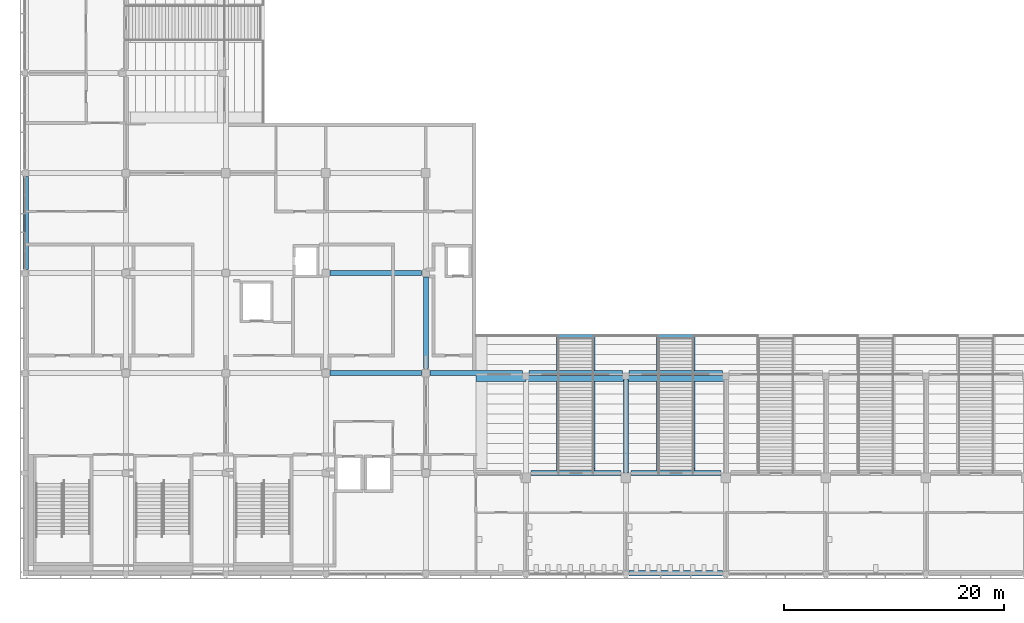
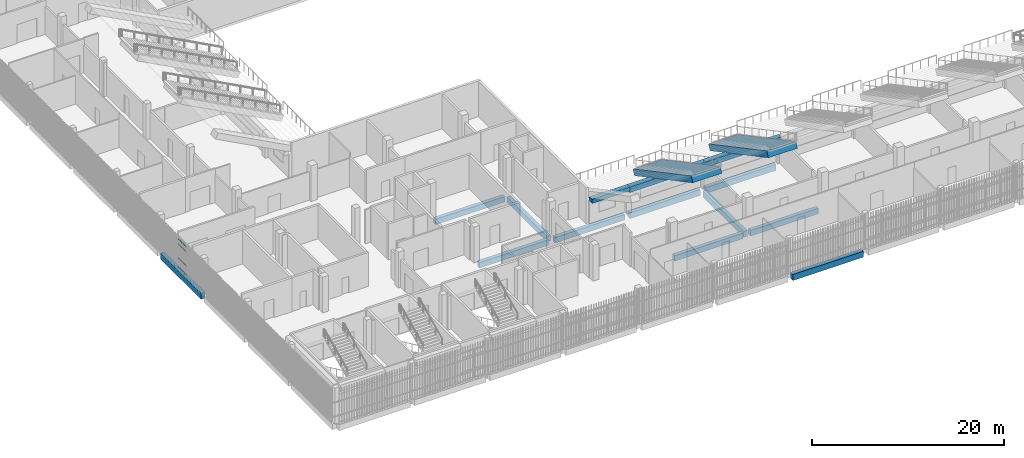
# One storey, part 13 of 139: 16 beams, 4 members, 1 element without a shape of its own.
"""IFC4 building model written with IfcOpenShell, lengths in metres."""

from ifc_helpers import new_model, si_unit, direction, frame, origin, origin_2d, place, context, subcontext, project, spatial, rectangle, hollow_rectangle, extrude, material, layer, layer_set, material_profile, profile_set, type_object, element, aggregate, save


model = new_model("IFC4")

# Units and contexts
model_context = context("Model", 3, precision=1e-05, world=origin(), true_north=direction((0.0, 1.0)))
body_context = subcontext(model_context, "Body", "Model", "MODEL_VIEW")
ifc_project = project(units=[si_unit("LENGTHUNIT", "METRE"), si_unit("AREAUNIT", "SQUARE_METRE"), si_unit("VOLUMEUNIT", "CUBIC_METRE"), si_unit("PLANEANGLEUNIT", "RADIAN"), si_unit("MASSUNIT", "GRAM", prefix="KILO")], contexts=[model_context])

# Site, building, storey
site_placement = place(None, origin())
site = spatial("IfcSite", under=ifc_project, at=site_placement, CompositionType="ELEMENT")
building_placement = place(site_placement, origin())
building = spatial("IfcBuilding", under=site, at=building_placement, Name="Shirokan Park Arena", CompositionType="ELEMENT")
storey_placement = place(building_placement, frame((0.0, 0.0, 15.469970703125)))
storey = spatial("IfcBuildingStorey", under=building, at=storey_placement, Name="L03", CompositionType="ELEMENT", Elevation=15.469970703125)

# Beams
ifc_material_1 = material(Name="Concrete C35", Category="concrete")
ifc_material_profile_1 = material_profile(ifc_material_1, rectangle(XDim=0.449951171875, YDim=0.699951171875, at=origin_2d()), Name="450x700")
ifc_profile_set_1 = profile_set([ifc_material_profile_1], Name="Concrete C35")
beam_type_1 = type_object("IfcBeamType", Name="RC girder 450x700", PredefinedType="BEAM", material=ifc_profile_set_1)
beam_1_placement = place(storey_placement, frame((27.7001953125, 18.199951171875, -0.64990234375), z_axis=(1.0, 0.0, 0.0), x_axis=(0.0, 1.0, 0.0)))
element("IfcBeam", 1, at=beam_1_placement, inside=storey, type_object=beam_type_1, Name="Girder 4C-5C L03", PredefinedType="BEAM", context=body_context, shape_type="SweptSolid", body=[
    extrude(rectangle(XDim=0.449951171875, YDim=0.699951171875, at=origin_2d()), origin(), (0.0, 0.0, 1.0), 8.2998046875),
])
beam_2_placement = place(storey_placement, frame((27.675048828125, 27.300048828125, -0.64990234375), z_axis=(1.0, 0.0, 0.0), x_axis=(0.0, 1.0, 0.0)))
element("IfcBeam", 2, at=beam_2_placement, inside=storey, type_object=beam_type_1, Name="Girder 4D-5D L03", PredefinedType="BEAM", context=body_context, shape_type="SweptSolid", body=[
    extrude(rectangle(XDim=0.449951171875, YDim=0.699951171875, at=origin_2d()), origin(), (0.0, 0.0, 1.0), 8.349853515625),
])
beam_3_placement = place(storey_placement, frame((36.800048828125, 18.199951171875, -0.64990234375), z_axis=(1.0, 0.0, 0.0), x_axis=(0.0, 1.0, 0.0)))
element("IfcBeam", 3, at=beam_3_placement, inside=storey, type_object=beam_type_1, Name="Girder 5C-6C L03", PredefinedType="BEAM", context=body_context, shape_type="SweptSolid", body=[
    extrude(rectangle(XDim=0.449951171875, YDim=0.699951171875, at=origin_2d()), origin(), (0.0, 0.0, 1.0), 8.39990234375),
])
beam_4_placement = place(storey_placement, frame((45.9501953125, 9.10009765625, -0.64990234375), z_axis=(1.0, 0.0, 0.0), x_axis=(0.0, 1.0, 0.0)))
element("IfcBeam", 4, at=beam_4_placement, inside=storey, type_object=beam_type_1, Name="Girder 6B-7B L03", PredefinedType="BEAM", context=body_context, shape_type="SweptSolid", body=[
    extrude(rectangle(XDim=0.449951171875, YDim=0.699951171875, at=origin_2d()), origin(), (0.0, 0.0, 1.0), 8.19970703125),
])
beam_5_placement = place(storey_placement, frame((55.050048828125, 9.10009765625, -0.64990234375), z_axis=(1.0, 0.0, 0.0), x_axis=(0.0, 1.0, 0.0)))
element("IfcBeam", 5, at=beam_5_placement, inside=storey, type_object=beam_type_1, Name="Girder 7B-8B L03", PredefinedType="BEAM", context=body_context, shape_type="SweptSolid", body=[
    extrude(rectangle(XDim=0.449951171875, YDim=0.699951171875, at=origin_2d()), origin(), (0.0, 0.0, 1.0), 8.199951171875),
])
beam_6_placement = place(storey_placement, frame((36.39990234375, 18.60009765625, -0.64990234375), z_axis=(0.0, 1.0, 0.0), x_axis=(-1.0, 0.0, 0.0)))
element("IfcBeam", 6, at=beam_6_placement, inside=storey, type_object=beam_type_1, Name="Girder 5C-5D L03", PredefinedType="BEAM", context=body_context, shape_type="SweptSolid", body=[
    extrude(rectangle(XDim=0.449951171875, YDim=0.699951171875, at=origin_2d()), origin(), (0.0, 0.0, 1.0), 8.32470703125),
])
ifc_material_profile_2 = material_profile(ifc_material_1, rectangle(XDim=0.449951171875, YDim=0.75, at=origin_2d()), Name="450x750")
ifc_profile_set_2 = profile_set([ifc_material_profile_2], Name="Concrete C35")
beam_type_2 = type_object("IfcBeamType", Name="RC girder 450x750", PredefinedType="BEAM", material=ifc_profile_set_2)
for number, where, z_axis, x_axis, name in (
    (7, (45.800048828125, 18.199951171875, -0.675048828125), (1.0, 0.0, 0.0), (0.0, 1.0, 0.0), "Girder 6C-7C L03"),
    (8, (54.900146484375, 18.199951171875, -0.675048828125), (1.0, 0.0, 0.0), (0.0, 1.0, 0.0), "Girder 7C-8C L03"),
    (9, (54.60009765625, 9.10009765625, -0.675048828125), (0.0, 1.0, 0.0), (-1.0, 0.0, 0.0), "Girder 7B-7C L03"),
):
    element("IfcBeam", number, at=place(storey_placement, frame(where, z_axis=z_axis, x_axis=x_axis)), inside=storey, type_object=beam_type_2, Name=name, PredefinedType="BEAM", context=body_context, shape_type="SweptSolid", body=[
        extrude(rectangle(XDim=0.449951171875, YDim=0.75, at=origin_2d()), origin(), (0.0, 0.0, 1.0), 8.499755859375),
    ])
ifc_material_profile_3 = material_profile(ifc_material_1, rectangle(XDim=0.5, YDim=0.75, at=origin_2d()), Name="500x750")
ifc_profile_set_3 = profile_set([ifc_material_profile_3], Name="Concrete C35")
beam_type_3 = type_object("IfcBeamType", Name="RC girder 500x750", PredefinedType="BEAM", material=ifc_profile_set_3)
beam_7_placement = place(storey_placement, frame((54.900146484375, 0.0, -0.675048828125), z_axis=(1.0, 0.0, 0.0), x_axis=(0.0, 1.0, 0.0)))
element("IfcBeam", 10, at=beam_7_placement, inside=storey, type_object=beam_type_3, Name="Girder 7A-8A L03", PredefinedType="BEAM", context=body_context, shape_type="SweptSolid", body=[
    extrude(rectangle(XDim=0.5, YDim=0.75, at=origin_2d()), origin(), (0.0, 0.0, 1.0), 8.499755859375),
])
beam_8_placement = place(storey_placement, frame((0.0, 27.625, -0.675048828125), z_axis=(0.0, 1.0, 0.0), x_axis=(-1.0, 0.0, 0.0)))
element("IfcBeam", 11, at=beam_8_placement, inside=storey, type_object=beam_type_3, Name="Girder 1D-1E L03", PredefinedType="BEAM", context=body_context, shape_type="SweptSolid", body=[
    extrude(rectangle(XDim=0.5, YDim=0.75, at=origin_2d()), origin(), (0.0, 0.0, 1.0), 8.449951171875),
])
ifc_material_profile_4 = material_profile(ifc_material_1, rectangle(XDim=3.5, YDim=0.75, at=origin_2d()), Name="3500x750")
ifc_profile_set_4 = profile_set([ifc_material_profile_4], Name="Concrete C35")
beam_type_4 = type_object("IfcBeamType", Name="RC raker 3500x750", PredefinedType="USERDEFINED", material=ifc_profile_set_4)
for number, where, z_axis, x_axis, name in (
    (12, (50.050048828125, 21.5234375, 1.822509765625), (0.0, -0.882353431028, 0.470587316821), (1.0, 0.0, 0.0), "Raker upper S 1"),
    (13, (59.14990234375, 21.5234375, 1.822509765625), (0.0, -0.882353431028, 0.470587316821), (1.0, 0.0, 0.0), "Raker upper S 2"),
):
    element("IfcBeam", number, at=place(storey_placement, frame(where, z_axis=z_axis, x_axis=x_axis)), inside=storey, type_object=beam_type_4, Name=name, ObjectType="RAKER BEAM", PredefinedType="USERDEFINED", context=body_context, shape_type="SweptSolid", body=[
        extrude(rectangle(XDim=3.5, YDim=0.75, at=origin_2d()), origin(), (0.0, 0.0, 1.0), 13.79638671875),
    ])
ifc_material_profile_5 = material_profile(ifc_material_1, rectangle(XDim=0.60009765625, YDim=0.699951171875, at=origin_2d()), Name="600x700")
ifc_profile_set_5 = profile_set([ifc_material_profile_5], Name="Concrete C35")
beam_type_5 = type_object("IfcBeamType", Name="RC stand girder 600x700", PredefinedType="BEAM", material=ifc_profile_set_5)
beam_9_placement = place(storey_placement, frame((45.5, 17.75, 3.06005859375), z_axis=(1.0, 0.0, 0.0), x_axis=(0.0, 1.0, 0.0)))
element("IfcBeam", 14, at=beam_9_placement, inside=storey, type_object=beam_type_5, Name="Stand girder S R3 2", PredefinedType="BEAM", context=body_context, shape_type="SweptSolid", body=[
    extrude(rectangle(XDim=0.60009765625, YDim=0.699951171875, at=origin_2d()), origin(), (0.0, 0.0, 1.0), 9.10009765625),
])
beam_10_placement = place(storey_placement, frame((54.60009765625, 17.75, 3.06005859375), z_axis=(1.0, 0.0, 0.0), x_axis=(0.0, 1.0, 0.0)))
element("IfcBeam", 15, at=beam_10_placement, inside=storey, type_object=beam_type_5, Name="Stand girder S R3 3", PredefinedType="BEAM", context=body_context, shape_type="SweptSolid", body=[
    extrude(rectangle(XDim=0.60009765625, YDim=0.699951171875, at=origin_2d()), origin(), (0.0, 0.0, 1.0), 9.099853515625),
])
ifc_material_profile_6 = material_profile(ifc_material_1, rectangle(XDim=0.60009765625, YDim=0.5, at=origin_2d()), Name="600x500")
ifc_profile_set_6 = profile_set([ifc_material_profile_6], Name="Concrete C35")
beam_type_6 = type_object("IfcBeamType", Name="RC stand girder end bay 600x500", PredefinedType="BEAM", material=ifc_profile_set_6)
beam_11_placement = place(storey_placement, frame((40.949951171875, 17.75, 3.159912109375), z_axis=(1.0, 0.0, 0.0), x_axis=(0.0, 1.0, 0.0)))
element("IfcBeam", 16, at=beam_11_placement, inside=storey, type_object=beam_type_6, Name="Stand girder S R3 1", PredefinedType="BEAM", context=body_context, shape_type="SweptSolid", body=[
    extrude(rectangle(XDim=0.60009765625, YDim=0.5, at=origin_2d()), origin(), (0.0, 0.0, 1.0), 4.550048828125),
])

# Curtain wall, members
ifc_material_2 = material(Name="Steel and glass curtain wall", Category="steel")
ifc_layer = layer(ifc_material_2, 0.14990234375)
ifc_layer_set = layer_set([ifc_layer], Name="Steel and glass curtain wall 150 mm")
curtain_wall_type = type_object("IfcCurtainWallType", Name="Curtain wall exposed bay 150", PredefinedType="NOTDEFINED", material=ifc_layer_set)
curtain_wall_placement = place(storey_placement, origin())
curtain_wall = element("IfcCurtainWall", 17, at=curtain_wall_placement, inside=storey, type_object=curtain_wall_type, Name="Curtain wall west bay 9 L03", PredefinedType="NOTDEFINED")
ifc_material_3 = material(Name="Steel S355", Category="steel")
ifc_material_profile_7 = material_profile(ifc_material_3, hollow_rectangle(XDim=0.06005859375, YDim=0.0400390625, WallThickness=0.00390625, at=origin_2d()), Name="RHS 60x40x4")
ifc_profile_set_7 = profile_set([ifc_material_profile_7], Name="Steel S355")
member_type = type_object("IfcMemberType", Name="Transom RHS 60x40x4", PredefinedType="MULLION", material=ifc_profile_set_7)
member_1_placement = place(storey_placement, frame((-0.074951171875, 32.675048828125, 0.02001953125), z_axis=(0.0, -1.0, 0.0), x_axis=(1.0, 0.0, 0.0)))
member_1 = element("IfcMember", 18, at=member_1_placement, type_object=member_type, Name="CW1 transom 3.1", PredefinedType="MULLION", context=body_context, shape_type="SweptSolid", body=[
    extrude(hollow_rectangle(XDim=0.06005859375, YDim=0.0400390625, WallThickness=0.00390625, at=origin_2d()), origin(), (0.0, 0.0, 1.0), 1.650146484375),
])
member_2_placement = place(storey_placement, frame((-0.074951171875, 32.675048828125, 1.10009765625), z_axis=(0.0, -1.0, 0.0), x_axis=(1.0, 0.0, 0.0)))
member_2 = element("IfcMember", 19, at=member_2_placement, type_object=member_type, Name="CW1 transom 3.2", PredefinedType="MULLION", context=body_context, shape_type="SweptSolid", body=[
    extrude(hollow_rectangle(XDim=0.06005859375, YDim=0.0400390625, WallThickness=0.00390625, at=origin_2d()), origin(), (0.0, 0.0, 1.0), 1.650146484375),
])
member_3_placement = place(storey_placement, frame((-0.074951171875, 32.675048828125, 2.900146484375), z_axis=(0.0, -1.0, 0.0), x_axis=(1.0, 0.0, 0.0)))
member_3 = element("IfcMember", 20, at=member_3_placement, type_object=member_type, Name="CW1 transom 3.3", PredefinedType="MULLION", context=body_context, shape_type="SweptSolid", body=[
    extrude(hollow_rectangle(XDim=0.06005859375, YDim=0.0400390625, WallThickness=0.00390625, at=origin_2d()), origin(), (0.0, 0.0, 1.0), 1.650146484375),
])
member_4_placement = place(storey_placement, frame((-0.074951171875, 32.675048828125, 3.530029296875), z_axis=(0.0, -1.0, 0.0), x_axis=(1.0, 0.0, 0.0)))
member_4 = element("IfcMember", 21, at=member_4_placement, type_object=member_type, Name="CW1 transom 3.4", PredefinedType="MULLION", context=body_context, shape_type="SweptSolid", body=[
    extrude(hollow_rectangle(XDim=0.06005859375, YDim=0.0400390625, WallThickness=0.00390625, at=origin_2d()), origin(), (0.0, 0.0, 1.0), 1.650146484375),
])
aggregate(curtain_wall, [member_1, member_2, member_3, member_4])

save(model, "model.ifc")
